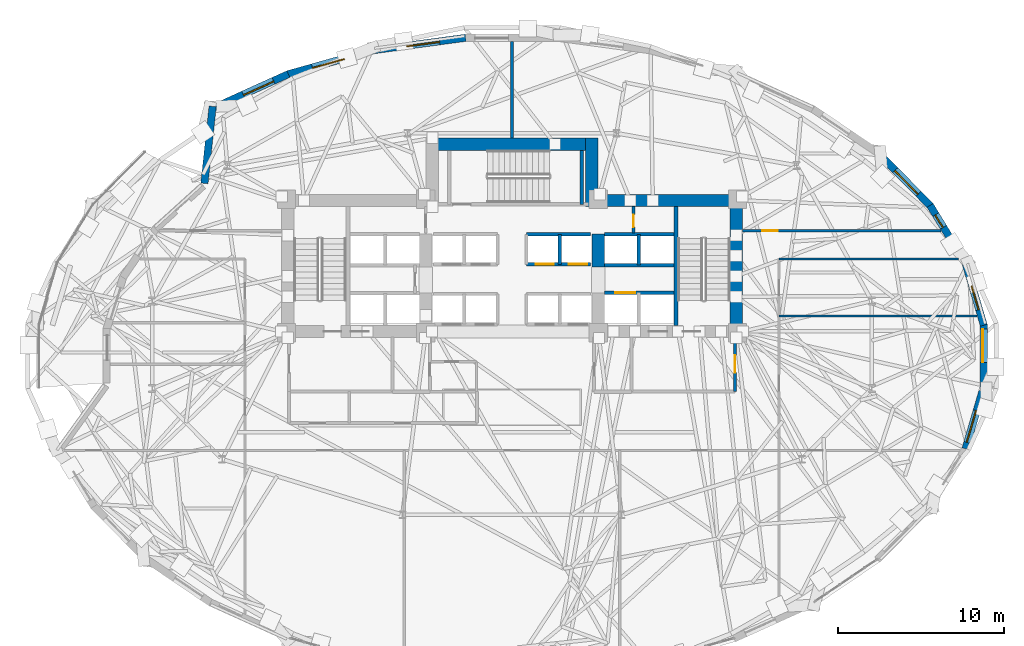
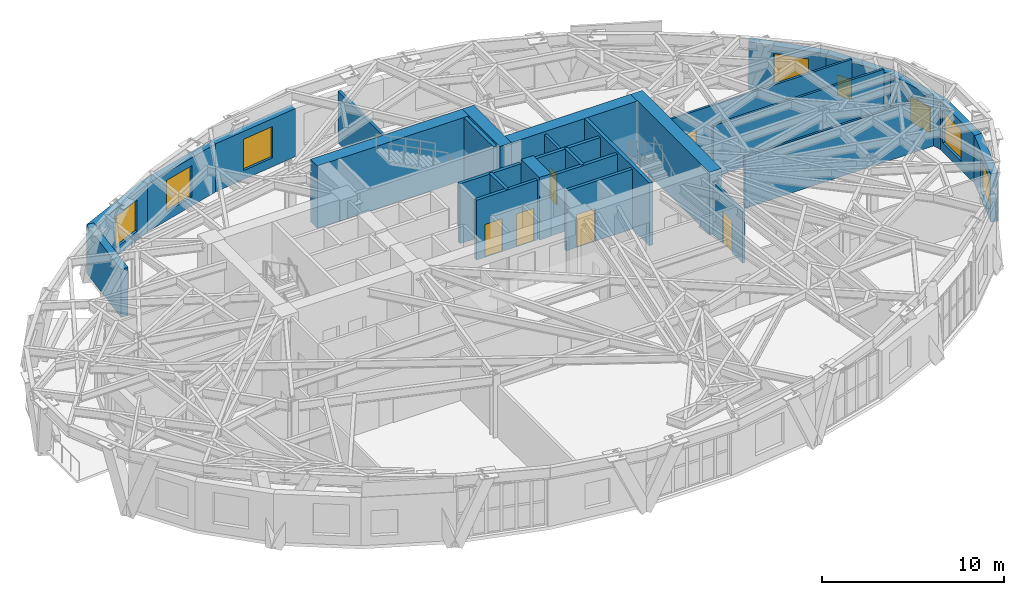
# One storey, part 15 of 20: 29 walls, 8 windows, 6 doors, 14 openings.
"""IFC4 building model written with IfcOpenShell, lengths in metres."""

from ifc_helpers import new_model, si_unit, direction, frame, frame_2d, origin, place, context, subcontext, project, spatial, rectangle, extrude, material, layer, layer_set, type_object, element, fill, save


model = new_model("IFC4")

# Units and contexts
model_context = context("Model", 3, precision=1e-05, world=origin(), true_north=direction((0.0, 1.0)))
body_context = subcontext(model_context, "Body", "Model", "MODEL_VIEW")
ifc_project = project(units=[si_unit("LENGTHUNIT", "METRE"), si_unit("AREAUNIT", "SQUARE_METRE"), si_unit("VOLUMEUNIT", "CUBIC_METRE"), si_unit("PLANEANGLEUNIT", "RADIAN"), si_unit("MASSUNIT", "GRAM", prefix="KILO")], contexts=[model_context])

# Site, building, storey
site_placement = place(None, origin())
site = spatial("IfcSite", under=ifc_project, at=site_placement, CompositionType="ELEMENT")
building_placement = place(site_placement, origin())
building = spatial("IfcBuilding", under=site, at=building_placement, Name="Keldmark Tower", CompositionType="ELEMENT")
storey_placement = place(building_placement, frame((0.0, 0.0, 81.89990234375)))
storey = spatial("IfcBuildingStorey", under=building, at=storey_placement, Name="L21", CompositionType="ELEMENT", Elevation=81.89990234375)

# Wall, opening, door
ifc_material_1 = material(Name="Acoustic Double-Layer Gypsum Corridor Partition", Category="gypsum")
ifc_layer_1 = layer(ifc_material_1, 0.139892578125)
ifc_layer_set_1 = layer_set([ifc_layer_1], Name="Acoustic Double-Layer Gypsum Corridor Partition")
wall_type_1 = type_object("IfcWallType", Name="Acoustic Corridor Partition 140 mm", PredefinedType="PARTITIONING", material=ifc_layer_set_1)
wall_1_placement = place(storey_placement, frame((13.89990234375, 7.550048828125, 0.0), z_axis=(0.0, 0.0, 1.0), x_axis=(1.0, 0.0, 0.0)))
wall_1 = element("IfcWall", 1, at=wall_1_placement, inside=storey, type_object=wall_type_1, Name="L21 Acoustic Corridor Partition 140 mm COR-EN-CAP", PredefinedType="PARTITIONING", context=body_context, shape_type="SweptSolid", body=[
    extrude(rectangle(XDim=11.97900390625, YDim=0.139892578125, at=frame_2d((5.989501953125, 0.0))), origin(), (0.0, 0.0, 1.0), 3.463134765625),
])
opening_1_placement = place(wall_1_placement, frame((1.199951171875, 0.0, 0.0)))
opening_1 = element("IfcOpeningElement", 2, at=opening_1_placement, cuts=wall_1, Name="Opening D-EX092", PredefinedType="OPENING", context=body_context, shape_type="SweptSolid", body=[
    extrude(rectangle(XDim=0.919921875, YDim=2.14990234375, at=frame_2d((0.4599609375, 1.074951171875))), frame((0.0, 0.079833984375, 0.0), z_axis=(0.0, -1.0, 0.0), x_axis=(1.0, 0.0, 0.0)), (0.0, 0.0, 1.0), 0.159912109375),
])
ifc_material_2 = material(Name="Flush American Ash Executive Office Door", Category="wood")
door_type_1 = type_object("IfcDoorType", Name="Executive Office Door 920x2150", OperationType="NOTDEFINED", PredefinedType="DOOR", material=ifc_material_2)
door_1_placement = place(opening_1_placement, origin())
door_1 = element("IfcDoor", 3, at=door_1_placement, inside=storey, type_object=door_type_1, Name="L21 Executive Office Door 920x2150 D-NRNE-L21", OperationType="SINGLE_SWING_RIGHT", OverallHeight=2.14990234375, OverallWidth=0.919921875, PredefinedType="DOOR", context=body_context, shape_type="SweptSolid", body=[
    extrude(rectangle(XDim=0.919921875, YDim=2.14990234375, at=frame_2d((0.4599609375, 1.074951171875))), frame((0.0, 0.02490234375, 0.0), z_axis=(0.0, -1.0, 0.0), x_axis=(1.0, 0.0, 0.0)), (0.0, 0.0, 1.0), 0.050048828125),
])
fill(opening_1, door_1)

# Walls
wall_2_placement = place(storey_placement, frame((16.10009765625, 5.85009765625, 0.0), z_axis=(0.0, 0.0, 1.0), x_axis=(1.0, 0.0, 0.0)))
element("IfcWall", 4, at=wall_2_placement, inside=storey, type_object=wall_type_1, Name="L21 Acoustic Corridor Partition 140 mm COR-EA-S", PredefinedType="PARTITIONING", context=body_context, shape_type="SweptSolid", body=[
    extrude(rectangle(XDim=10.818603515625, YDim=0.139892578125, at=frame_2d((5.4091796875, 0.0))), origin(), (0.0, 0.0, 1.0), 3.463134765625),
])
ifc_material_3 = material(Name="STC-58 Insulated Tenant Demising Gypsum Partition", Category="gypsum")
ifc_layer_2 = layer(ifc_material_3, 0.175048828125)
ifc_layer_set_2 = layer_set([ifc_layer_2], Name="STC-58 Insulated Tenant Demising Gypsum Partition")
wall_type_2 = type_object("IfcWallType", Name="Demising Suite Partition 175 mm", PredefinedType="PARTITIONING", material=ifc_layer_set_2)
wall_3_placement = place(storey_placement, frame((0.0, 13.14990234375, 0.0), z_axis=(0.0, 0.0, 1.0), x_axis=(0.0, 1.0, 0.0)))
element("IfcWall", 5, at=wall_3_placement, inside=storey, type_object=wall_type_2, Name="L21 Demising Suite Partition 175 mm N-MID-DIV", PredefinedType="PARTITIONING", context=body_context, shape_type="SweptSolid", body=[
    extrude(rectangle(XDim=5.80810546875, YDim=0.175048828125, at=frame_2d((2.904052734375, 0.0))), origin(), (0.0, 0.0, 1.0), 3.463134765625),
])
ifc_material_4 = material(Name="Acoustic Gypsum Board Interior Partition", Category="gypsum")
ifc_layer_3 = layer(ifc_material_4, 0.1298828125)
ifc_layer_set_3 = layer_set([ifc_layer_3], Name="Acoustic Gypsum Board Interior Partition")
wall_type_3 = type_object("IfcWallType", Name="Interior Partition 130 mm", PredefinedType="PARTITIONING", material=ifc_layer_set_3)
wall_4_placement = place(storey_placement, frame((16.10009765625, 2.39990234375, 0.0), z_axis=(0.0, 0.0, 1.0), x_axis=(1.0, 0.0, 0.0)))
element("IfcWall", 6, at=wall_4_placement, inside=storey, type_object=wall_type_3, Name="L21 Interior Partition 130 mm E-DIV-1", PredefinedType="PARTITIONING", context=body_context, shape_type="SweptSolid", body=[
    extrude(rectangle(XDim=11.95068359375, YDim=0.1298828125, at=frame_2d((5.975341796875, 0.0))), origin(), (0.0, 0.0, 1.0), 3.451171875),
])
ifc_material_5 = material(Name="Concrete C70/85", Category="concrete")
ifc_layer_4 = layer(ifc_material_5, 0.75)
ifc_layer_set_4 = layer_set([ifc_layer_4], Name="Concrete C70/85")
wall_type_4 = type_object("IfcWallType", Name="Low-Mid Core Shear Wall 750 mm", PredefinedType="SHEAR", material=ifc_layer_set_4)
wall_5_placement = place(storey_placement, frame((13.52490234375, 1.10009765625, 0.0), z_axis=(0.0, 0.0, 1.0), x_axis=(0.0, 1.0, 0.0)))
element("IfcWall", 7, at=wall_5_placement, inside=storey, type_object=wall_type_4, Name="L21 East Core Outer Shear Wall", PredefinedType="SHEAR", context=body_context, shape_type="SweptSolid", body=[
    extrude(rectangle(XDim=8.64990234375, YDim=0.75, at=frame_2d((4.324951171875, 0.0))), origin(), (0.0, 0.0, 1.0), 4.2001953125),
])
wall_6_placement = place(storey_placement, frame((4.425048828125, 9.375, 0.0), z_axis=(0.0, 0.0, 1.0), x_axis=(1.0, 0.0, 0.0)))
element("IfcWall", 8, at=wall_6_placement, inside=storey, type_object=wall_type_4, Name="L21 East Core North Shear Wall", PredefinedType="SHEAR", context=body_context, shape_type="SweptSolid", body=[
    extrude(rectangle(XDim=9.474853515625, YDim=0.75, at=frame_2d((4.7373046875, 0.0))), origin(), (0.0, 0.0, 1.0), 4.2001953125),
])
wall_7_placement = place(storey_placement, frame((5.199951171875, 5.35009765625, 0.0), z_axis=(0.0, 0.0, 1.0), x_axis=(0.0, 1.0, 0.0)))
element("IfcWall", 9, at=wall_7_placement, inside=storey, type_object=wall_type_4, Name="L21 East Core Inner Shear Pier North", PredefinedType="SHEAR", context=body_context, shape_type="SweptSolid", body=[
    extrude(rectangle(XDim=2.0, YDim=0.75, at=frame_2d((1.0, 0.0))), origin(), (0.0, 0.0, 1.0), 4.2001953125),
])
wall_8_placement = place(storey_placement, frame((-5.175048828125, 12.77490234375, 0.0), z_axis=(0.0, 0.0, 1.0), x_axis=(1.0, 0.0, 0.0)))
element("IfcWall", 10, at=wall_8_placement, inside=storey, type_object=wall_type_4, Name="L21 North Core Shear Wall", PredefinedType="SHEAR", context=body_context, shape_type="SweptSolid", body=[
    extrude(rectangle(XDim=10.35009765625, YDim=0.75, at=frame_2d((5.175048828125, 0.0))), origin(), (0.0, 0.0, 1.0), 4.2001953125),
])
wall_9_placement = place(storey_placement, frame((4.800048828125, 9.0, 0.0), z_axis=(0.0, 0.0, 1.0), x_axis=(0.0, 1.0, 0.0)))
element("IfcWall", 11, at=wall_9_placement, inside=storey, type_object=wall_type_4, Name="L21 North Core East Shear Wall", PredefinedType="SHEAR", context=body_context, shape_type="SweptSolid", body=[
    extrude(rectangle(XDim=4.14990234375, YDim=0.75, at=frame_2d((2.074951171875, 0.0))), origin(), (0.0, 0.0, 1.0), 4.2001953125),
])

# Wall, opening, door
ifc_material_6 = material(Name="Type X Fire-Rated Gypsum Partition Assembly", Category="gypsum")
ifc_layer_5 = layer(ifc_material_6, 0.1650390625)
ifc_layer_set_5 = layer_set([ifc_layer_5], Name="Type X Fire-Rated Gypsum Partition Assembly")
wall_type_5 = type_object("IfcWallType", Name="Rated Partition 165 mm", PredefinedType="PARTITIONING", material=ifc_layer_set_5)
wall_10_placement = place(storey_placement, frame((13.449951171875, -2.14990234375, 0.0), z_axis=(0.0, 0.0, 1.0), x_axis=(0.0, 1.0, 0.0)))
wall_10 = element("IfcWall", 12, at=wall_10_placement, inside=storey, type_object=wall_type_5, Name="L21 Rated Partition 165 mm FSAE-E-E", PredefinedType="PARTITIONING", context=body_context, shape_type="SweptSolid", body=[
    extrude(rectangle(XDim=3.2998046875, YDim=0.1650390625, at=frame_2d((1.64990234375, 0.0))), origin(), (0.0, 0.0, 1.0), 3.463134765625),
])
opening_2_placement = place(wall_10_placement, frame((1.14990234375, 0.0, 0.0)))
opening_2 = element("IfcOpeningElement", 13, at=opening_2_placement, cuts=wall_10, Name="Opening D-FL105", PredefinedType="OPENING", context=body_context, shape_type="SweptSolid", body=[
    extrude(rectangle(XDim=1.050048828125, YDim=2.14990234375, at=frame_2d((0.52490234375, 1.074951171875))), frame((0.0, 0.092529296875, 0.0), z_axis=(0.0, -1.0, 0.0), x_axis=(1.0, 0.0, 0.0)), (0.0, 0.0, 1.0), 0.18505859375),
])
ifc_material_7 = material(Name="Fire-Rated Mineral-Core Door and Vision Lite", Category="metal")
door_type_2 = type_object("IfcDoorType", Name="Fire Lobby Door 1050x2150", OperationType="NOTDEFINED", PredefinedType="DOOR", material=ifc_material_7)
door_2_placement = place(opening_2_placement, origin())
door_2 = element("IfcDoor", 14, at=door_2_placement, inside=storey, type_object=door_type_2, Name="L21 Fire Lobby Door 1050x2150 D-FSAEE-OUT-L21", OperationType="SINGLE_SWING_LEFT", OverallHeight=2.14990234375, OverallWidth=1.050048828125, PredefinedType="DOOR", context=body_context, shape_type="SweptSolid", body=[
    extrude(rectangle(XDim=1.050048828125, YDim=2.14990234375, at=frame_2d((0.52490234375, 1.074951171875))), frame((0.0, 0.02490234375, 0.0), z_axis=(0.0, -1.0, 0.0), x_axis=(1.0, 0.0, 0.0)), (0.0, 0.0, 1.0), 0.050048828125),
])
fill(opening_2, door_2)

wall_11_placement = place(storey_placement, frame((7.330078125, 7.419921875, 0.0), z_axis=(0.0, 0.0, 1.0), x_axis=(0.0, 1.0, 0.0)))
wall_11 = element("IfcWall", 15, at=wall_11_placement, inside=storey, type_object=wall_type_5, Name="L21 Rated Partition 165 mm CS-NE-W", PredefinedType="PARTITIONING", context=body_context, shape_type="SweptSolid", body=[
    extrude(rectangle(XDim=1.580078125, YDim=0.1650390625, at=frame_2d((0.7900390625, 0.0))), origin(), (0.0, 0.0, 1.0), 4.010009765625),
])
opening_3_placement = place(wall_11_placement, frame((0.35009765625, 0.0, 0.0)))
opening_3 = element("IfcOpeningElement", 16, at=opening_3_placement, cuts=wall_11, Name="Opening D-RS075", PredefinedType="OPENING", context=body_context, shape_type="SweptSolid", body=[
    extrude(rectangle(XDim=0.75, YDim=2.10009765625, at=frame_2d((0.375, 1.050048828125))), frame((0.0, 0.092529296875, 0.0), z_axis=(0.0, -1.0, 0.0), x_axis=(1.0, 0.0, 0.0)), (0.0, 0.0, 1.0), 0.18505859375),
])
ifc_material_8 = material(Name="Galvanized Fire-Rated Access Leaf", Category="metal")
door_type_3 = type_object("IfcDoorType", Name="Riser Access Door 750x2100", OperationType="NOTDEFINED", PredefinedType="DOOR", material=ifc_material_8)
door_3_placement = place(opening_3_placement, origin())
door_3 = element("IfcDoor", 17, at=door_3_placement, inside=storey, type_object=door_type_3, Name="L21 Riser Access Door 750x2100 D-CSNE1-L21", OperationType="SINGLE_SWING_LEFT", OverallHeight=2.10009765625, OverallWidth=0.75, PredefinedType="DOOR", context=body_context, shape_type="SweptSolid", body=[
    extrude(rectangle(XDim=0.75, YDim=2.10009765625, at=frame_2d((0.375, 1.050048828125))), frame((0.0, 0.02490234375, 0.0), z_axis=(0.0, -1.0, 0.0), x_axis=(1.0, 0.0, 0.0)), (0.0, 0.0, 1.0), 0.050048828125),
])
fill(opening_3, door_3)

ifc_material_9 = material(Name="Fire-Resistant Type X Gypsum Shaftliner Coreboard", Category="gypsum")
ifc_layer_6 = layer(ifc_material_9, 0.199951171875)
ifc_layer_set_6 = layer_set([ifc_layer_6], Name="Fire-Resistant Type X Gypsum Shaftliner Coreboard")
wall_type_6 = type_object("IfcWallType", Name="Shaft Wall 200 mm", PredefinedType="SOLIDWALL", material=ifc_layer_set_6)
wall_12_placement = place(storey_placement, frame((5.574951171875, 3.820068359375, 0.0), z_axis=(0.0, 0.0, 1.0), x_axis=(1.0, 0.0, 0.0)))
wall_12 = element("IfcWall", 18, at=wall_12_placement, inside=storey, type_object=wall_type_6, Name="L21 Shaft Wall 200 mm HW-E-S", PredefinedType="SOLIDWALL", context=body_context, shape_type="SweptSolid", body=[
    extrude(rectangle(XDim=4.205078125, YDim=0.199951171875, at=frame_2d((2.1025390625, 0.0))), origin(), (0.0, 0.0, 1.0), 4.010009765625),
])
opening_4_placement = place(wall_12_placement, frame((0.64990234375, 0.0, 0.0)))
opening_4 = element("IfcOpeningElement", 19, at=opening_4_placement, cuts=wall_12, Name="Opening LD-120", PredefinedType="OPENING", context=body_context, shape_type="SweptSolid", body=[
    extrude(rectangle(XDim=1.199951171875, YDim=2.199951171875, at=frame_2d((0.60009765625, 1.10009765625))), frame((0.0, 0.10986328125, 0.0), z_axis=(0.0, -1.0, 0.0), x_axis=(1.0, 0.0, 0.0)), (0.0, 0.0, 1.0), 0.219970703125),
])
ifc_material_10 = material(Name="Heavy-Duty Brushed Metal Hoistway Sliding Leaf", Category="metal")
door_type_4 = type_object("IfcDoorType", Name="Service Lift Sliding Door 1200x2200", OperationType="SLIDING_TO_RIGHT", PredefinedType="DOOR", material=ifc_material_10)
door_4_placement = place(opening_4_placement, origin())
door_4 = element("IfcDoor", 20, at=door_4_placement, inside=storey, type_object=door_type_4, Name="L21 Service Lift Sliding Door 1200x2200 LD-EL-SV1-L21", OperationType="SLIDING_TO_RIGHT", OverallHeight=2.199951171875, OverallWidth=1.199951171875, PredefinedType="DOOR", context=body_context, shape_type="SweptSolid", body=[
    extrude(rectangle(XDim=1.199951171875, YDim=2.199951171875, at=frame_2d((0.60009765625, 1.10009765625))), frame((0.0, 0.02490234375, 0.0), z_axis=(0.0, -1.0, 0.0), x_axis=(1.0, 0.0, 0.0)), (0.0, 0.0, 1.0), 0.050048828125),
])
fill(opening_4, door_4)

# Walls
for number, where, z_axis, x_axis, name in (
    (21, (5.574951171875, 5.469970703125, 0.0), (0.0, 0.0, 1.0), (1.0, 0.0, 0.0), "L21 Shaft Wall 200 mm HW-E-N"),
    (22, (5.574951171875, 7.330078125, 0.0), (0.0, 0.0, 1.0), (1.0, 0.0, 0.0), "L21 Shaft Wall 200 mm HW-E-TOP"),
):
    element("IfcWall", number, at=place(storey_placement, frame(where, z_axis=z_axis, x_axis=x_axis)), inside=storey, type_object=wall_type_6, Name=name, PredefinedType="SOLIDWALL", context=body_context, shape_type="SweptSolid", body=[
        extrude(rectangle(XDim=4.205078125, YDim=0.199951171875, at=frame_2d((2.1025390625, 0.0))), origin(), (0.0, 0.0, 1.0), 4.010009765625),
    ])
wall_13_placement = place(storey_placement, frame((7.64990234375, 5.469970703125, 0.0), z_axis=(0.0, 0.0, 1.0), x_axis=(0.0, 1.0, 0.0)))
element("IfcWall", 23, at=wall_13_placement, inside=storey, type_object=wall_type_6, Name="L21 Shaft Wall 200 mm HW-E-NM", PredefinedType="SOLIDWALL", context=body_context, shape_type="SweptSolid", body=[
    extrude(rectangle(XDim=1.860107421875, YDim=0.199951171875, at=frame_2d((0.93017578125, 0.0))), origin(), (0.0, 0.0, 1.0), 4.010009765625),
])

# Wall, openings, doors
wall_14_placement = place(storey_placement, frame((0.8798828125, 5.52001953125, 0.0), z_axis=(0.0, 0.0, 1.0), x_axis=(1.0, 0.0, 0.0)))
wall_14 = element("IfcWall", 24, at=wall_14_placement, inside=storey, type_object=wall_type_6, Name="L21 Shaft Wall 200 mm MID-S-E", PredefinedType="SOLIDWALL", context=body_context, shape_type="SweptSolid", body=[
    extrude(rectangle(XDim=3.860107421875, YDim=0.199951171875, at=frame_2d((1.93017578125, 0.0))), origin(), (0.0, 0.0, 1.0), 4.010009765625),
])
opening_5_placement = place(wall_14_placement, frame((0.550048828125, 0.0, 0.0)))
opening_5 = element("IfcOpeningElement", 25, at=opening_5_placement, cuts=wall_14, Name="Opening LD-110", PredefinedType="OPENING", context=body_context, shape_type="SweptSolid", body=[
    extrude(rectangle(XDim=1.10009765625, YDim=2.199951171875, at=frame_2d((0.550048828125, 1.10009765625))), frame((0.0, 0.10986328125, 0.0), z_axis=(0.0, -1.0, 0.0), x_axis=(1.0, 0.0, 0.0)), (0.0, 0.0, 1.0), 0.219970703125),
])
opening_6_placement = place(wall_14_placement, frame((2.550048828125, 0.0, 0.0)))
opening_6 = element("IfcOpeningElement", 26, at=opening_6_placement, cuts=wall_14, Name="Opening LD-110", PredefinedType="OPENING", context=body_context, shape_type="SweptSolid", body=[
    extrude(rectangle(XDim=1.10009765625, YDim=2.199951171875, at=frame_2d((0.550048828125, 1.10009765625))), frame((0.0, 0.10986328125, 0.0), z_axis=(0.0, -1.0, 0.0), x_axis=(1.0, 0.0, 0.0)), (0.0, 0.0, 1.0), 0.219970703125),
])
ifc_material_11 = material(Name="Brushed Bronze Hoistway Sliding Leaf", Category="metal")
door_type_5 = type_object("IfcDoorType", Name="Lift Landing Sliding Door 1100x2200", OperationType="SLIDING_TO_LEFT", PredefinedType="DOOR", material=ifc_material_11)
door_5_placement = place(opening_5_placement, origin())
door_5 = element("IfcDoor", 27, at=door_5_placement, inside=storey, type_object=door_type_5, Name="L21 Lift Landing Sliding Door 1100x2200 LD-EL-M3-L21", OperationType="SLIDING_TO_LEFT", OverallHeight=2.199951171875, OverallWidth=1.10009765625, PredefinedType="DOOR", context=body_context, shape_type="SweptSolid", body=[
    extrude(rectangle(XDim=1.10009765625, YDim=2.199951171875, at=frame_2d((0.550048828125, 1.10009765625))), frame((0.0, 0.02490234375, 0.0), z_axis=(0.0, -1.0, 0.0), x_axis=(1.0, 0.0, 0.0)), (0.0, 0.0, 1.0), 0.050048828125),
])
fill(opening_5, door_5)
door_6_placement = place(opening_6_placement, origin())
door_6 = element("IfcDoor", 28, at=door_6_placement, inside=storey, type_object=door_type_5, Name="L21 Lift Landing Sliding Door 1100x2200 LD-EL-M4-L21", OperationType="SLIDING_TO_LEFT", OverallHeight=2.199951171875, OverallWidth=1.10009765625, PredefinedType="DOOR", context=body_context, shape_type="SweptSolid", body=[
    extrude(rectangle(XDim=1.10009765625, YDim=2.199951171875, at=frame_2d((0.550048828125, 1.10009765625))), frame((0.0, 0.02490234375, 0.0), z_axis=(0.0, -1.0, 0.0), x_axis=(1.0, 0.0, 0.0)), (0.0, 0.0, 1.0), 0.050048828125),
])
fill(opening_6, door_6)

# Walls
wall_15_placement = place(storey_placement, frame((0.8798828125, 7.330078125, 0.0), z_axis=(0.0, 0.0, 1.0), x_axis=(1.0, 0.0, 0.0)))
element("IfcWall", 29, at=wall_15_placement, inside=storey, type_object=wall_type_6, Name="L21 Shaft Wall 200 mm MID-N-E", PredefinedType="SOLIDWALL", context=body_context, shape_type="SweptSolid", body=[
    extrude(rectangle(XDim=3.860107421875, YDim=0.199951171875, at=frame_2d((1.93017578125, 0.0))), origin(), (0.0, 0.0, 1.0), 4.010009765625),
])
wall_16_placement = place(storey_placement, frame((2.8798828125, 5.52001953125, 0.0), z_axis=(0.0, 0.0, 1.0), x_axis=(0.0, 1.0, 0.0)))
element("IfcWall", 30, at=wall_16_placement, inside=storey, type_object=wall_type_6, Name="L21 Shaft Wall 200 mm MID-M-E", PredefinedType="SOLIDWALL", context=body_context, shape_type="SweptSolid", body=[
    extrude(rectangle(XDim=1.81005859375, YDim=0.199951171875, at=frame_2d((0.905029296875, 0.0))), origin(), (0.0, 0.0, 1.0), 4.010009765625),
])
ifc_material_12 = material(Name="Concrete C50/60", Category="concrete")
ifc_layer_7 = layer(ifc_material_12, 0.219970703125)
ifc_layer_set_7 = layer_set([ifc_layer_7], Name="Concrete C50/60")
wall_type_7 = type_object("IfcWallType", Name="Stair Core Shear Wall 220 mm", PredefinedType="SHEAR", material=ifc_layer_set_7)
wall_17_placement = place(storey_placement, frame((9.889892578125, 1.85009765625, 0.0), z_axis=(0.0, 0.0, 1.0), x_axis=(0.0, 1.0, 0.0)))
element("IfcWall", 31, at=wall_17_placement, inside=storey, type_object=wall_type_7, Name="L21 East Stair Core Shear Wall", PredefinedType="SHEAR", context=body_context, shape_type="SweptSolid", body=[
    extrude(rectangle(XDim=7.14990234375, YDim=0.219970703125, at=frame_2d((3.574951171875, 0.0))), origin(), (0.0, 0.0, 1.0), 4.2001953125),
])
wall_18_placement = place(storey_placement, frame((4.215087890625, 9.139892578125, 0.0), z_axis=(0.0, 0.0, 1.0), x_axis=(0.0, 1.0, 0.0)))
element("IfcWall", 32, at=wall_18_placement, inside=storey, type_object=wall_type_7, Name="L21 Central Stair Core East Shear Wall", PredefinedType="SHEAR", context=body_context, shape_type="SweptSolid", body=[
    extrude(rectangle(XDim=3.260009765625, YDim=0.219970703125, at=frame_2d((1.6298828125, 0.0))), origin(), (0.0, 0.0, 1.0), 4.2001953125),
])

# Wall, opening, window
ifc_material_13 = material(Name="Ironspot Manganese Brick and Kasota Buff Limestone Spandrel Assembly", Category="masonry")
ifc_layer_8 = layer(ifc_material_13, 0.43994140625)
ifc_layer_set_8 = layer_set([ifc_layer_8], Name="Ironspot Manganese Brick and Kasota Buff Limestone Spandrel Assembly")
wall_type_8 = type_object("IfcWallType", Name="Tower Brick Pier and Spandrel Wall 440 mm", PredefinedType="STANDARD", material=ifc_layer_set_8)
wall_19_placement = place(storey_placement, frame((27.348876953125, 5.5986328125, 0.0), z_axis=(0.0, 0.0, 1.0), x_axis=(0.281834819638, -0.959462940629, 0.0)))
wall_19 = element("IfcWall", 33, at=wall_19_placement, inside=storey, type_object=wall_type_8, Name="L21 Exterior Brick and Spandrel Wall 01", PredefinedType="STANDARD", context=body_context, shape_type="SweptSolid", body=[
    extrude(rectangle(XDim=3.90771484375, YDim=0.43994140625, at=frame_2d((1.953857421875, 0.0))), origin(), (0.0, 0.0, 1.0), 3.22802734375),
])
opening_7_placement = place(wall_19_placement, frame((1.42431640625, 0.0, 0.60009765625)))
opening_7 = element("IfcOpeningElement", 34, at=opening_7_placement, cuts=wall_19, Name="Opening W-03", PredefinedType="OPENING", context=body_context, shape_type="SweptSolid", body=[
    extrude(rectangle(XDim=1.5, YDim=1.699951171875, at=frame_2d((0.75, 0.85009765625))), frame((0.0, 0.22998046875, 0.0), z_axis=(0.0, -1.0, 0.0), x_axis=(1.0, 0.0, 0.0)), (0.0, 0.0, 1.0), 0.4599609375),
])
ifc_material_14 = material(Name="Thermally Broken Anodized Aluminum and Triple Low-E Argon Glazing", Category="aluminium")
window_type_1 = type_object("IfcWindowType", Name="Office Corner Deep-Set Window 1500x1700", PartitioningType="DOUBLE_PANEL_VERTICAL", PredefinedType="WINDOW", material=ifc_material_14)
window_1_placement = place(opening_7_placement, origin())
window_1 = element("IfcWindow", 35, at=window_1_placement, inside=storey, type_object=window_type_1, Name="L21 Deep-Set Window 01", OverallHeight=1.699951171875, OverallWidth=1.5, PartitioningType="SINGLE_PANEL", PredefinedType="WINDOW", context=body_context, shape_type="SweptSolid", body=[
    extrude(rectangle(XDim=1.5, YDim=1.699951171875, at=frame_2d((0.75, 0.85009765625))), frame((0.0, -0.010009765625, 0.0), z_axis=(0.0, -1.0, 0.0), x_axis=(1.0, 0.0, 0.0)), (0.0, 0.0, 1.0), 0.06005859375),
])
fill(opening_7, window_1)

wall_20_placement = place(storey_placement, frame((25.211669921875, 9.077392578125, 0.0), z_axis=(0.0, 0.0, 1.0), x_axis=(0.521891226532, -0.85301204427, 0.0)))
wall_20 = element("IfcWall", 36, at=wall_20_placement, inside=storey, type_object=wall_type_8, Name="L21 Exterior Brick and Spandrel Wall 02", PredefinedType="STANDARD", context=body_context, shape_type="SweptSolid", body=[
    extrude(rectangle(XDim=4.14013671875, YDim=0.43994140625, at=frame_2d((2.070068359375, 0.0))), origin(), (0.0, 0.0, 1.0), 3.22802734375),
])
opening_8_placement = place(wall_20_placement, frame((0.6484375, 0.0, 0.580078125)))
opening_8 = element("IfcOpeningElement", 37, at=opening_8_placement, cuts=wall_20, Name="Opening W-09", PredefinedType="OPENING", context=body_context, shape_type="SweptSolid", body=[
    extrude(rectangle(XDim=0.89990234375, YDim=1.35009765625, at=frame_2d((0.449951171875, 0.675048828125))), frame((0.0, 0.22998046875, 0.0), z_axis=(0.0, -1.0, 0.0), x_axis=(1.0, 0.0, 0.0)), (0.0, 0.0, 1.0), 0.4599609375),
])
ifc_material_15 = material(Name="Thermally Broken Anodized Aluminum and Triple Low-E Argon Glazing", Category="aluminium")
window_type_2 = type_object("IfcWindowType", Name="Corner Pier Deep-Set Window 900x1350", PartitioningType="SINGLE_PANEL", PredefinedType="WINDOW", material=ifc_material_15)
window_2_placement = place(opening_8_placement, origin())
window_2 = element("IfcWindow", 38, at=window_2_placement, inside=storey, type_object=window_type_2, Name="L21 Deep-Set Window 02", OverallHeight=1.35009765625, OverallWidth=0.89990234375, PartitioningType="SINGLE_PANEL", PredefinedType="WINDOW", context=body_context, shape_type="SweptSolid", body=[
    extrude(rectangle(XDim=0.89990234375, YDim=1.35009765625, at=frame_2d((0.449951171875, 0.675048828125))), frame((0.0, -0.010009765625, 0.0), z_axis=(0.0, -1.0, 0.0), x_axis=(1.0, 0.0, 0.0)), (0.0, 0.0, 1.0), 0.06005859375),
])
fill(opening_8, window_2)

wall_21_placement = place(storey_placement, frame((22.106201171875, 12.21630859375, 0.0), z_axis=(0.0, 0.0, 1.0), x_axis=(0.702361901729, -0.711820032733, 0.0)))
wall_21 = element("IfcWall", 39, at=wall_21_placement, inside=storey, type_object=wall_type_8, Name="L21 Exterior Brick and Spandrel Wall 03", PredefinedType="STANDARD", context=body_context, shape_type="SweptSolid", body=[
    extrude(rectangle(XDim=4.465576171875, YDim=0.43994140625, at=frame_2d((2.23291015625, 0.0))), origin(), (0.0, 0.0, 1.0), 3.232177734375),
])
opening_9_placement = place(wall_21_placement, frame((1.429443359375, 0.0, 0.60009765625)))
opening_9 = element("IfcOpeningElement", 40, at=opening_9_placement, cuts=wall_21, Name="Opening W-06", PredefinedType="OPENING", context=body_context, shape_type="SweptSolid", body=[
    extrude(rectangle(XDim=2.0, YDim=2.10009765625, at=frame_2d((1.0, 1.050048828125))), frame((0.0, 0.22998046875, 0.0), z_axis=(0.0, -1.0, 0.0), x_axis=(1.0, 0.0, 0.0)), (0.0, 0.0, 1.0), 0.4599609375),
])
ifc_material_16 = material(Name="Thermally Broken Anodized Aluminum and Triple Low-E Argon Glazing", Category="aluminium")
window_type_3 = type_object("IfcWindowType", Name="Sky Lounge Tall Punched Window 2000x2100", PartitioningType="SINGLE_PANEL", PredefinedType="WINDOW", material=ifc_material_16)
window_3_placement = place(opening_9_placement, origin())
window_3 = element("IfcWindow", 41, at=window_3_placement, inside=storey, type_object=window_type_3, Name="L21 Deep-Set Window 03", OverallHeight=2.10009765625, OverallWidth=2.0, PartitioningType="SINGLE_PANEL", PredefinedType="WINDOW", context=body_context, shape_type="SweptSolid", body=[
    extrude(rectangle(XDim=2.0, YDim=2.10009765625, at=frame_2d((1.0, 1.050048828125))), frame((0.0, -0.010009765625, 0.0), z_axis=(0.0, -1.0, 0.0), x_axis=(1.0, 0.0, 0.0)), (0.0, 0.0, 1.0), 0.06005859375),
])
fill(opening_9, window_3)

wall_22_placement = place(storey_placement, frame((-8.330810546875, 18.4423828125, 0.0), z_axis=(0.0, 0.0, 1.0), x_axis=(0.9910561058, 0.133445851026, 0.0)))
wall_22 = element("IfcWall", 42, at=wall_22_placement, inside=storey, type_object=wall_type_8, Name="L21 Exterior Brick and Spandrel Wall 09", PredefinedType="STANDARD", context=body_context, shape_type="SweptSolid", body=[
    extrude(rectangle(XDim=5.58740234375, YDim=0.43994140625, at=frame_2d((2.793701171875, 0.0))), origin(), (0.0, 0.0, 1.0), 3.22802734375),
])
opening_10_placement = place(wall_22_placement, frame((1.992919921875, 0.0, 0.60009765625)))
opening_10 = element("IfcOpeningElement", 43, at=opening_10_placement, cuts=wall_22, Name="Opening W-06", PredefinedType="OPENING", context=body_context, shape_type="SweptSolid", body=[
    extrude(rectangle(XDim=2.0, YDim=2.10009765625, at=frame_2d((1.0, 1.050048828125))), frame((0.0, 0.22998046875, 0.0), z_axis=(0.0, -1.0, 0.0), x_axis=(1.0, 0.0, 0.0)), (0.0, 0.0, 1.0), 0.4599609375),
])
window_4_placement = place(opening_10_placement, origin())
window_4 = element("IfcWindow", 44, at=window_4_placement, inside=storey, type_object=window_type_3, Name="L21 Deep-Set Window 09", OverallHeight=2.10009765625, OverallWidth=2.0, PartitioningType="SINGLE_PANEL", PredefinedType="WINDOW", context=body_context, shape_type="SweptSolid", body=[
    extrude(rectangle(XDim=2.0, YDim=2.10009765625, at=frame_2d((1.0, 1.050048828125))), frame((0.0, -0.010009765625, 0.0), z_axis=(0.0, -1.0, 0.0), x_axis=(1.0, 0.0, 0.0)), (0.0, 0.0, 1.0), 0.06005859375),
])
fill(opening_10, window_4)

wall_23_placement = place(storey_placement, frame((-13.516845703125, 16.985595703125, 0.0), z_axis=(0.0, 0.0, 1.0), x_axis=(0.962849260033, 0.270039446109, 0.0)))
wall_23 = element("IfcWall", 45, at=wall_23_placement, inside=storey, type_object=wall_type_8, Name="L21 Exterior Brick and Spandrel Wall 10", PredefinedType="STANDARD", context=body_context, shape_type="SweptSolid", body=[
    extrude(rectangle(XDim=5.417236328125, YDim=0.43994140625, at=frame_2d((2.70849609375, 0.0))), origin(), (0.0, 0.0, 1.0), 3.22802734375),
])
opening_11_placement = place(wall_23_placement, frame((1.535400390625, 0.0, 0.60009765625)))
opening_11 = element("IfcOpeningElement", 46, at=opening_11_placement, cuts=wall_23, Name="Opening W-06", PredefinedType="OPENING", context=body_context, shape_type="SweptSolid", body=[
    extrude(rectangle(XDim=2.0, YDim=2.10009765625, at=frame_2d((1.0, 1.050048828125))), frame((0.0, 0.22998046875, 0.0), z_axis=(0.0, -1.0, 0.0), x_axis=(1.0, 0.0, 0.0)), (0.0, 0.0, 1.0), 0.4599609375),
])
window_5_placement = place(opening_11_placement, origin())
window_5 = element("IfcWindow", 47, at=window_5_placement, inside=storey, type_object=window_type_3, Name="L21 Deep-Set Window 10", OverallHeight=2.10009765625, OverallWidth=2.0, PartitioningType="SINGLE_PANEL", PredefinedType="WINDOW", context=body_context, shape_type="SweptSolid", body=[
    extrude(rectangle(XDim=2.0, YDim=2.10009765625, at=frame_2d((1.0, 1.050048828125))), frame((0.0, -0.010009765625, 0.0), z_axis=(0.0, -1.0, 0.0), x_axis=(1.0, 0.0, 0.0)), (0.0, 0.0, 1.0), 0.06005859375),
])
fill(opening_11, window_5)

wall_24_placement = place(storey_placement, frame((-18.1796875, 14.873291015625, 0.0), z_axis=(0.0, 0.0, 1.0), x_axis=(0.911088856004, 0.412210014999, 0.0)))
wall_24 = element("IfcWall", 48, at=wall_24_placement, inside=storey, type_object=wall_type_8, Name="L21 Exterior Brick and Spandrel Wall 11", PredefinedType="STANDARD", context=body_context, shape_type="SweptSolid", body=[
    extrude(rectangle(XDim=5.152099609375, YDim=0.43994140625, at=frame_2d((2.576171875, 0.0))), origin(), (0.0, 0.0, 1.0), 3.22802734375),
])
opening_12_placement = place(wall_24_placement, frame((2.166015625, 0.0, 0.60009765625)))
opening_12 = element("IfcOpeningElement", 49, at=opening_12_placement, cuts=wall_24, Name="Opening W-06", PredefinedType="OPENING", context=body_context, shape_type="SweptSolid", body=[
    extrude(rectangle(XDim=2.0, YDim=2.10009765625, at=frame_2d((1.0, 1.050048828125))), frame((0.0, 0.22998046875, 0.0), z_axis=(0.0, -1.0, 0.0), x_axis=(1.0, 0.0, 0.0)), (0.0, 0.0, 1.0), 0.4599609375),
])
window_6_placement = place(opening_12_placement, origin())
window_6 = element("IfcWindow", 50, at=window_6_placement, inside=storey, type_object=window_type_3, Name="L21 Deep-Set Window 11", OverallHeight=2.10009765625, OverallWidth=2.0, PartitioningType="SINGLE_PANEL", PredefinedType="WINDOW", context=body_context, shape_type="SweptSolid", body=[
    extrude(rectangle(XDim=2.0, YDim=2.10009765625, at=frame_2d((1.0, 1.050048828125))), frame((0.0, -0.010009765625, 0.0), z_axis=(0.0, -1.0, 0.0), x_axis=(1.0, 0.0, 0.0)), (0.0, 0.0, 1.0), 0.06005859375),
])
fill(opening_12, window_6)

# Wall
wall_25_placement = place(storey_placement, frame((-18.54736328125, 10.404541015625, 0.0), z_axis=(0.0, 0.0, 1.0), x_axis=(0.106077381467, 0.994357877799, 0.0)))
element("IfcWall", 51, at=wall_25_placement, inside=storey, type_object=wall_type_8, Name="L21 Exterior Brick and Spandrel Wall 12", PredefinedType="STANDARD", context=body_context, shape_type="SweptSolid", body=[
    extrude(rectangle(XDim=4.672119140625, YDim=0.43994140625, at=frame_2d((2.3359375, 0.0))), origin(), (0.0, 0.0, 1.0), 3.22802734375),
])

# Wall, opening, window
wall_26_placement = place(storey_placement, frame((28.4501953125, -1.849365234375, 0.0), z_axis=(0.0, 0.0, 1.0), x_axis=(-0.281834819638, -0.959462940629, 0.0)))
wall_26 = element("IfcWall", 52, at=wall_26_placement, inside=storey, type_object=wall_type_8, Name="L21 Exterior Brick and Spandrel Wall 31", PredefinedType="STANDARD", context=body_context, shape_type="SweptSolid", body=[
    extrude(rectangle(XDim=3.90771484375, YDim=0.43994140625, at=frame_2d((1.953857421875, 0.0))), origin(), (0.0, 0.0, 1.0), 3.22802734375),
])
opening_13_placement = place(wall_26_placement, frame((1.51318359375, 0.0, 0.60009765625)))
opening_13 = element("IfcOpeningElement", 53, at=opening_13_placement, cuts=wall_26, Name="Opening W-06", PredefinedType="OPENING", context=body_context, shape_type="SweptSolid", body=[
    extrude(rectangle(XDim=2.0, YDim=2.10009765625, at=frame_2d((1.0, 1.050048828125))), frame((0.0, 0.22998046875, 0.0), z_axis=(0.0, -1.0, 0.0), x_axis=(1.0, 0.0, 0.0)), (0.0, 0.0, 1.0), 0.4599609375),
])
window_7_placement = place(opening_13_placement, origin())
window_7 = element("IfcWindow", 54, at=window_7_placement, inside=storey, type_object=window_type_3, Name="L21 Deep-Set Window 31", OverallHeight=2.10009765625, OverallWidth=2.0, PartitioningType="SINGLE_PANEL", PredefinedType="WINDOW", context=body_context, shape_type="SweptSolid", body=[
    extrude(rectangle(XDim=2.0, YDim=2.10009765625, at=frame_2d((1.0, 1.050048828125))), frame((0.0, -0.010009765625, 0.0), z_axis=(0.0, -1.0, 0.0), x_axis=(1.0, 0.0, 0.0)), (0.0, 0.0, 1.0), 0.06005859375),
])
fill(opening_13, window_7)

wall_27_placement = place(storey_placement, frame((28.44140625, 1.911376953125, 0.0), z_axis=(0.0, 0.0, 1.0), x_axis=(0.0, -1.0, 0.0)))
wall_27 = element("IfcWall", 55, at=wall_27_placement, inside=storey, type_object=wall_type_8, Name="L21 Exterior Brick and Spandrel Wall 32", PredefinedType="STANDARD", context=body_context, shape_type="SweptSolid", body=[
    extrude(rectangle(XDim=3.82275390625, YDim=0.43994140625, at=frame_2d((1.911376953125, 0.0))), origin(), (0.0, 0.0, 1.0), 3.232177734375),
])
opening_14_placement = place(wall_27_placement, frame((0.298095703125, 0.0, 0.60009765625)))
opening_14 = element("IfcOpeningElement", 56, at=opening_14_placement, cuts=wall_27, Name="Opening W-06", PredefinedType="OPENING", context=body_context, shape_type="SweptSolid", body=[
    extrude(rectangle(XDim=2.0, YDim=2.10009765625, at=frame_2d((1.0, 1.050048828125))), frame((0.0, 0.22998046875, 0.0), z_axis=(0.0, -1.0, 0.0), x_axis=(1.0, 0.0, 0.0)), (0.0, 0.0, 1.0), 0.4599609375),
])
window_8_placement = place(opening_14_placement, origin())
window_8 = element("IfcWindow", 57, at=window_8_placement, inside=storey, type_object=window_type_3, Name="L21 Deep-Set Window 32", OverallHeight=2.10009765625, OverallWidth=2.0, PartitioningType="SINGLE_PANEL", PredefinedType="WINDOW", context=body_context, shape_type="SweptSolid", body=[
    extrude(rectangle(XDim=2.0, YDim=2.10009765625, at=frame_2d((1.0, 1.050048828125))), frame((0.0, -0.010009765625, 0.0), z_axis=(0.0, -1.0, 0.0), x_axis=(1.0, 0.0, 0.0)), (0.0, 0.0, 1.0), 0.06005859375),
])
fill(opening_14, window_8)

save(model, "model.ifc")
